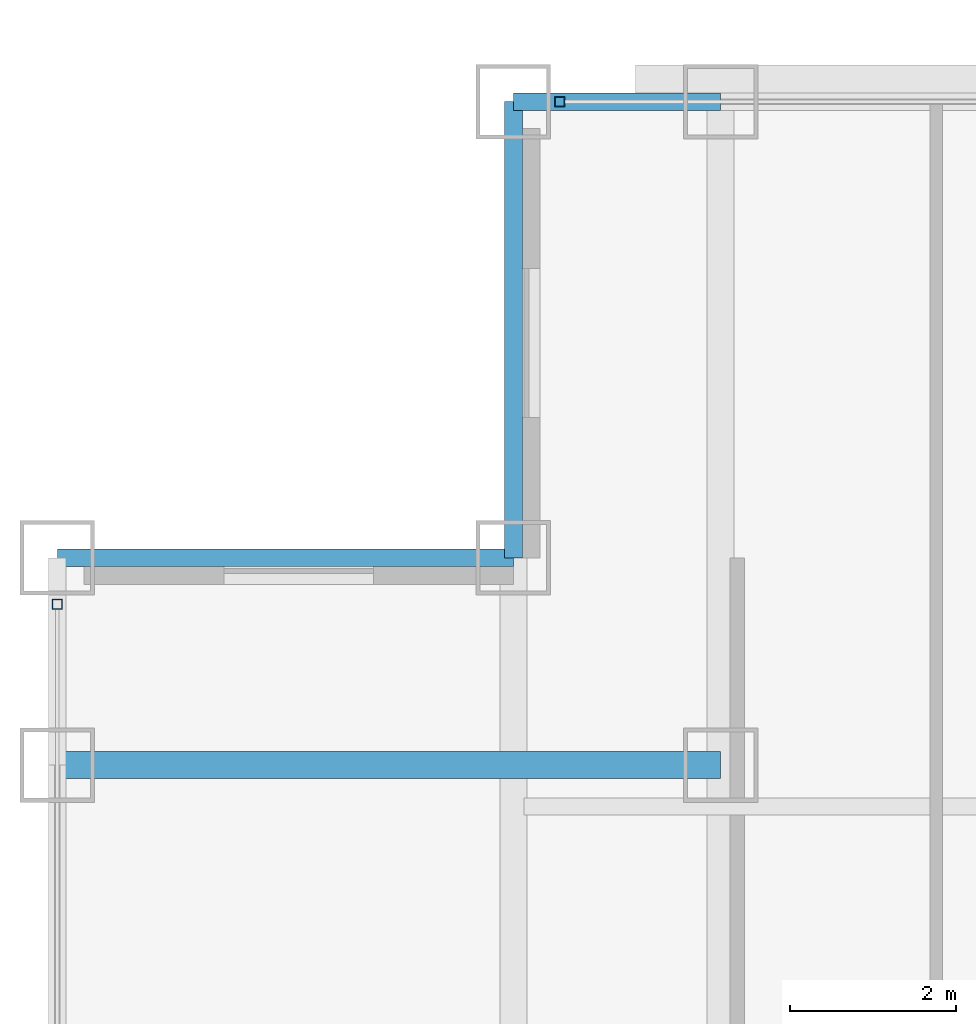
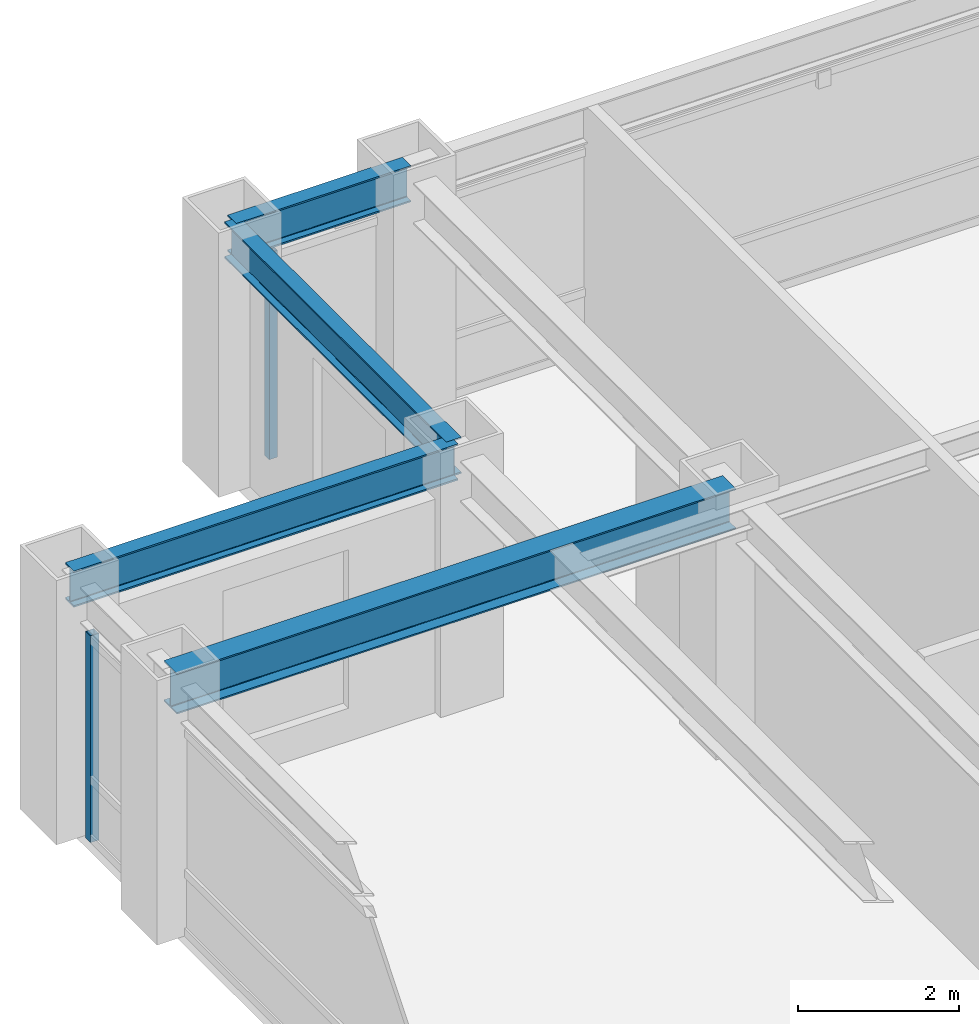
# One storey, part 12 of 27: 4 beams, 2 members, 2 elements without a shape of their own.
"""IFC4 building model written with IfcOpenShell, lengths in metres."""

from ifc_helpers import new_model, si_unit, direction, frame, origin, origin_2d, place, context, subcontext, project, spatial, hollow_rectangle, i_section, extrude, source, transform, mapped, material, material_profile, profile_set, type_object, element, aggregate, save


model = new_model("IFC4")

# Units and contexts
model_context = context("Model", 3, precision=1e-05, world=origin(), true_north=direction((0.0, 1.0)))
body_context = subcontext(model_context, "Body", "Model", "MODEL_VIEW")
ifc_project = project(units=[si_unit("LENGTHUNIT", "METRE"), si_unit("AREAUNIT", "SQUARE_METRE"), si_unit("VOLUMEUNIT", "CUBIC_METRE"), si_unit("PLANEANGLEUNIT", "RADIAN"), si_unit("MASSUNIT", "GRAM", prefix="KILO")], contexts=[model_context])

# Site, building, storey
site_placement = place(None, origin())
site = spatial("IfcSite", under=ifc_project, at=site_placement, CompositionType="ELEMENT")
building_placement = place(site_placement, origin())
building = spatial("IfcBuilding", under=site, at=building_placement, Name="Khorayat Bourse Tower", CompositionType="ELEMENT")
storey_placement = place(building_placement, frame((0.0, 0.0, 313.5)))
storey = spatial("IfcBuildingStorey", under=building, at=storey_placement, Name="L74", CompositionType="ELEMENT", Elevation=313.5)

# Beams
ifc_material_1 = material(Name="Steel ASTM A992 Grade 50", Category="steel")
ifc_material_profile_1 = material_profile(ifc_material_1, i_section(OverallWidth=0.324951171875, OverallDepth=0.615966796875, WebThickness=0.013916015625, FlangeThickness=0.021484375, FilletRadius=0.01611328125, at=origin_2d()), Name="W610X174")
ifc_profile_set_1 = profile_set([ifc_material_profile_1], Name="Steel ASTM A992 Grade 50")
beam_type_1 = type_object("IfcBeamType", Name="BM-GIRD-610", PredefinedType="BEAM", material=ifc_profile_set_1)
shared_shape_1 = source(origin(), body_context, "Body", "SweptSolid", [
    extrude(i_section(OverallWidth=0.324951171875, OverallDepth=0.615966796875, WebThickness=0.013916015625, FlangeThickness=0.021484375, FilletRadius=0.01611328125, at=origin_2d()), origin(), (0.0, 0.0, 1.0), 8.0),
])
beam_1_placement = place(storey_placement, frame((-28.0, 20.0, 3.471923828125), z_axis=(1.0, 0.0, 0.0), x_axis=(0.0, 1.0, 0.0)))
element("IfcBeam", 1, at=beam_1_placement, inside=storey, type_object=beam_type_1, Name="L74 BM-GIRD-610 BM-L74-CNRX-095", PredefinedType="BEAM", context=body_context, shape_type="MappedRepresentation", body=[
    mapped(shared_shape_1, transform((0.0, 0.0, 0.0), scale=1.0)),
])
ifc_material_profile_2 = material_profile(ifc_material_1, i_section(OverallWidth=0.214111328125, OverallDepth=0.549072265625, WebThickness=0.0146484375, FlangeThickness=0.023681640625, FilletRadius=0.013916015625, at=origin_2d()), Name="W530X138")
ifc_profile_set_2 = profile_set([ifc_material_profile_2], Name="Steel ASTM A992 Grade 50")
beam_type_2 = type_object("IfcBeamType", Name="BM-SPAN-530", PredefinedType="SPANDREL", material=ifc_profile_set_2)
shared_shape_2 = source(origin(), body_context, "Body", "SweptSolid", [
    extrude(i_section(OverallWidth=0.214111328125, OverallDepth=0.549072265625, WebThickness=0.0146484375, FlangeThickness=0.023681640625, FilletRadius=0.013916015625, at=origin_2d()), origin(), (0.0, 0.0, 1.0), 2.5),
])
beam_2_placement = place(storey_placement, frame((-22.5, 28.0, 3.505615234375), z_axis=(1.0, 0.0, 0.0), x_axis=(0.0, 1.0, 0.0)))
element("IfcBeam", 2, at=beam_2_placement, inside=storey, type_object=beam_type_2, Name="L74 BM-SPAN-530 BM-L74-SPN-051", PredefinedType="SPANDREL", context=body_context, shape_type="MappedRepresentation", body=[
    mapped(shared_shape_2, transform((0.0, 0.0, 0.0), scale=1.0)),
])
shared_shape_3 = source(origin(), body_context, "Body", "SweptSolid", [
    extrude(i_section(OverallWidth=0.214111328125, OverallDepth=0.549072265625, WebThickness=0.0146484375, FlangeThickness=0.023681640625, FilletRadius=0.013916015625, at=origin_2d()), origin(), (0.0, 0.0, 1.0), 5.5),
])
for number, where, z_axis, x_axis, name in (
    (3, (-22.5, 22.5, 3.505615234375), (0.0, 1.0, 0.0), (-1.0, 0.0, 0.0), "L74 BM-SPAN-530 BM-L74-SPN-052"),
    (4, (-28.0, 22.5, 3.505615234375), (1.0, 0.0, 0.0), (0.0, 1.0, 0.0), "L74 BM-SPAN-530 BM-L74-SPN-053"),
):
    element("IfcBeam", number, at=place(storey_placement, frame(where, z_axis=z_axis, x_axis=x_axis)), inside=storey, type_object=beam_type_2, Name=name, PredefinedType="SPANDREL", context=body_context, shape_type="MappedRepresentation", body=[
        mapped(shared_shape_3, transform((0.0, 0.0, 0.0), scale=1.0)),
    ])

# Curtain wall, member
ifc_material_2 = material(Name="Aluminium EN AW-6063 T6", Category="aluminium")
curtain_wall_type = type_object("IfcCurtainWallType", Name="CW-SYS-04", PredefinedType="NOTDEFINED", material=ifc_material_2)
curtain_wall_1_placement = place(storey_placement, origin())
curtain_wall_1 = element("IfcCurtainWall", 5, at=curtain_wall_1_placement, inside=storey, type_object=curtain_wall_type, Name="L74 Curtain Wall CW-L74-N1", PredefinedType="NOTDEFINED")
ifc_material_profile_3 = material_profile(ifc_material_2, hollow_rectangle(XDim=0.1201171875, YDim=0.1201171875, WallThickness=0.0048828125, at=origin_2d()), Name="ALU 120x120x5")
ifc_profile_set_3 = profile_set([ifc_material_profile_3], Name="Aluminium EN AW-6063 T6")
member_type = type_object("IfcMemberType", Name="CWM-VERT-120", PredefinedType="MULLION", material=ifc_profile_set_3)
shared_shape_4 = source(origin(), body_context, "Body", "SweptSolid", [
    extrude(hollow_rectangle(XDim=0.1201171875, YDim=0.1201171875, WallThickness=0.0048828125, at=origin_2d()), origin(), (0.0, 0.0, 1.0), 3.1298828125),
])
member_1_placement = place(storey_placement, frame((-21.93994140625, 28.0, 0.0), z_axis=(0.0, 0.0, 1.0), x_axis=(0.0, 1.0, 0.0)))
member_1 = element("IfcMember", 6, at=member_1_placement, type_object=member_type, Name="CW-L74-N1 Vertical Mullion 1", PredefinedType="MULLION", context=body_context, shape_type="MappedRepresentation", body=[
    mapped(shared_shape_4, transform((0.0, 0.0, 0.0), scale=1.0)),
])
aggregate(curtain_wall_1, [member_1])

curtain_wall_2_placement = place(storey_placement, origin())
curtain_wall_2 = element("IfcCurtainWall", 7, at=curtain_wall_2_placement, inside=storey, type_object=curtain_wall_type, Name="L74 Curtain Wall CW-L74-W1", PredefinedType="NOTDEFINED")
member_2_placement = place(storey_placement, frame((-28.0, 21.93994140625, 0.0), z_axis=(0.0, 0.0, 1.0), x_axis=(-1.0, 0.0, 0.0)))
member_2 = element("IfcMember", 8, at=member_2_placement, type_object=member_type, Name="CW-L74-W1 Vertical Mullion 3", PredefinedType="MULLION", context=body_context, shape_type="MappedRepresentation", body=[
    mapped(shared_shape_4, transform((0.0, 0.0, 0.0), scale=1.0)),
])
aggregate(curtain_wall_2, [member_2])

save(model, "model.ifc")
